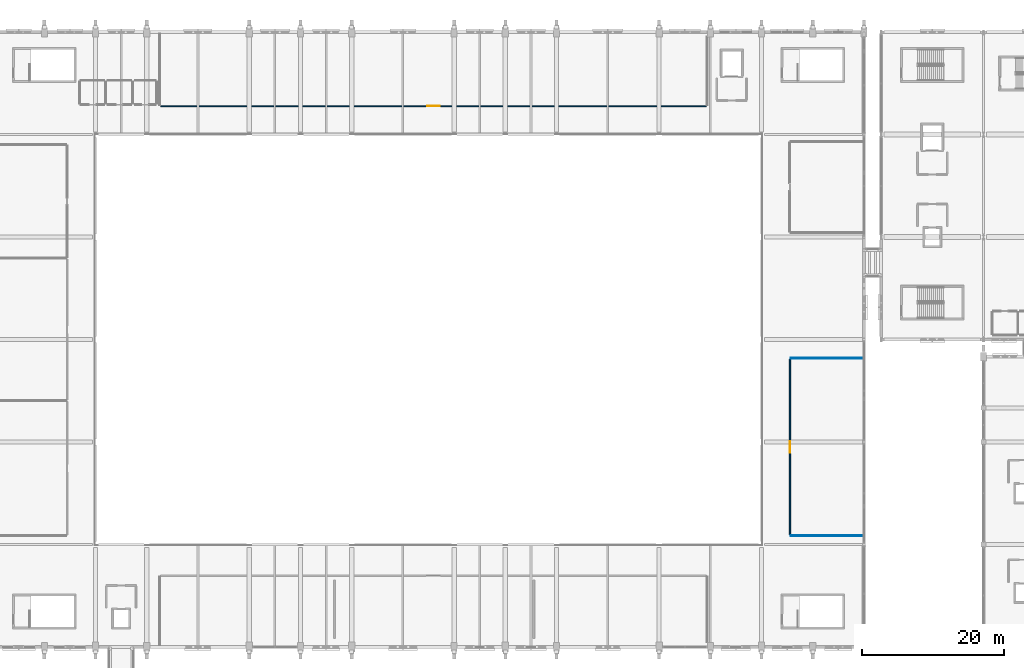
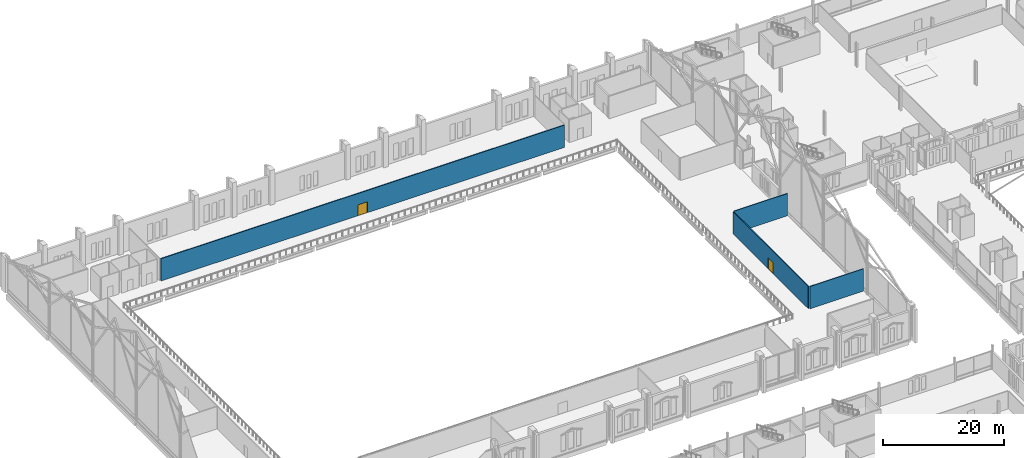
# One storey, part 156 of 220: 4 walls, 2 doors, 2 openings.
"""IFC4 building model written with IfcOpenShell, lengths in metres."""

import ifcopenshell
import ifcopenshell.guid

model = None  # the IFC model being written
_history = None  # IfcOwnerHistory: only IFC2X3 demands one
_inside = {}  # id of a spatial element -> (the spatial element, [elements in it])
_under = {}  # id of a project, library or spatial element -> (it, [spatial elements below it])
_declared = {}  # id of a project -> (the project, [libraries it declares])
_typed = {}  # id of a type object -> (the type object, [elements of that type])
_made_of = {}  # id of a material, layer set ... -> (it, [elements and type objects made of it])


def new_model(schema):
    """Start an empty IFC model of exactly this schema.

    Asked for "IFC4X3", IfcOpenShell would pick the latest addendum, in which some entities
    have other attributes; the version numbers below select the first issue.
    IFC2X3 requires an IfcOwnerHistory on every rooted entity: one is made here for all.
    """
    global model, _history
    if schema == "IFC4X3":
        model = ifcopenshell.file(schema_version=(4, 3, 0, 0))
    else:
        model = ifcopenshell.file(schema=schema)
    _inside.clear()
    _under.clear()
    _declared.clear()
    _typed.clear()
    _made_of.clear()
    _history = None
    if model.schema == "IFC2X3":
        org = make("IfcOrganization", Name="unknown")
        user = make(
            "IfcPersonAndOrganization",
            ThePerson=make("IfcPerson", FamilyName="unknown"),
            TheOrganization=org,
        )
        app = make(
            "IfcApplication",
            ApplicationDeveloper=org,
            Version="unknown",
            ApplicationFullName="unknown",
            ApplicationIdentifier="unknown",
        )
        _history = make(
            "IfcOwnerHistory",
            OwningUser=user,
            OwningApplication=app,
            ChangeAction="ADDED",
            CreationDate=0,
        )
    return model


def make(cls, **values):
    """One entity of the class cls with the attributes given. An attribute that is None is left unset."""
    return model.create_entity(
        cls, **{name: value for name, value in values.items() if value is not None}
    )


def rooted(cls, **values):
    """An entity with a GlobalId (a new one), such as an element, a storey or a relation."""
    return make(cls, GlobalId=ifcopenshell.guid.new(), OwnerHistory=_history, **values)


def si_unit(unit_type, name, prefix=None):
    """IfcSIUnit, for example si_unit("LENGTHUNIT", "METRE", prefix="MILLI")."""
    return make("IfcSIUnit", UnitType=unit_type, Prefix=prefix, Name=name)


def assignment(units):
    """IfcUnitAssignment: the units of a project."""
    return None if units is None else make("IfcUnitAssignment", Units=units)


def point(xyz):
    """IfcCartesianPoint."""
    return None if xyz is None else make("IfcCartesianPoint", Coordinates=xyz)


def direction(xyz):
    """IfcDirection."""
    return None if xyz is None else make("IfcDirection", DirectionRatios=xyz)


def frame(location, z_axis=None, x_axis=None):
    """IfcAxis2Placement3D, a coordinate frame: its origin and axes. An axis left out is left unset."""
    return make(
        "IfcAxis2Placement3D",
        Location=point(location),
        Axis=direction(z_axis),
        RefDirection=direction(x_axis),
    )


def frame_2d(location, x_axis=None):
    """IfcAxis2Placement2D, a coordinate frame in the plane: its origin and x axis."""
    return make(
        "IfcAxis2Placement2D", Location=point(location), RefDirection=direction(x_axis)
    )


def origin():
    """The frame at (0, 0, 0) with its axes left unset."""
    return frame((0.0, 0.0, 0.0))


def place(relative_to, where):
    """IfcLocalPlacement: puts the frame where relative to a parent placement (None: the world)."""
    return make(
        "IfcLocalPlacement", PlacementRelTo=relative_to, RelativePlacement=where
    )


def context(
    kind, dimensions, precision=None, world=None, true_north=None, identifier=None
):
    """IfcGeometricRepresentationContext, for example the 3D "Model" context."""
    return make(
        "IfcGeometricRepresentationContext",
        ContextIdentifier=identifier,
        ContextType=kind,
        CoordinateSpaceDimension=dimensions,
        Precision=precision,
        WorldCoordinateSystem=world,
        TrueNorth=true_north,
    )


def subcontext(parent, identifier, kind, view, scale=None):
    """IfcGeometricRepresentationSubContext, for example "Body" below "Model"."""
    return make(
        "IfcGeometricRepresentationSubContext",
        ContextIdentifier=identifier,
        ContextType=kind,
        ParentContext=parent,
        TargetScale=scale,
        TargetView=view,
    )


def project(units=None, contexts=None):
    """IfcProject with its units and contexts."""
    return rooted(
        "IfcProject",
        Name="project",
        RepresentationContexts=contexts,
        UnitsInContext=assignment(units),
    )


def spatial(cls, under=None, at=None, **own):
    """A site, building, storey or space (cls), placed at a placement, below another one or the project."""
    s = rooted(cls, ObjectPlacement=at, **own)
    if under is not None:
        _under.setdefault(under.id(), (under, []))[1].append(s)
    return s


def profile(cls, at=None, kind="AREA", **sizes):
    """A parametric profile (cls). Its sizes go by their IFC names, for example OverallWidth=200.0."""
    return make(cls, ProfileType=kind, Position=at, **sizes)


def rectangle(**sizes):
    """IfcRectangleProfileDef."""
    return profile("IfcRectangleProfileDef", **sizes)


def extrude(swept, where, along, depth):
    """IfcExtrudedAreaSolid: the profile swept, set in the frame where, extruded along a direction by depth."""
    return make(
        "IfcExtrudedAreaSolid",
        SweptArea=swept,
        Position=where,
        ExtrudedDirection=direction(along),
        Depth=depth,
    )


def shape(context_of_items, identifier, shape_type, items):
    """IfcShapeRepresentation: the items that make up one representation, for example the "Body"."""
    return make(
        "IfcShapeRepresentation",
        ContextOfItems=context_of_items,
        RepresentationIdentifier=identifier,
        RepresentationType=shape_type,
        Items=items,
    )


def material(Name=None, Category=None):
    """IfcMaterial."""
    return make("IfcMaterial", Name=Name, Category=Category)


def layer(
    of_material, thickness, ventilated=None, Name=None, Category=None, Priority=None
):
    """IfcMaterialLayer: one layer of a wall or slab, of a material (None: an air gap)."""
    return make(
        "IfcMaterialLayer",
        Material=of_material,
        LayerThickness=thickness,
        IsVentilated=ventilated,
        Name=Name,
        Category=Category,
        Priority=Priority,
    )


def layer_set(layers, Name=None):
    """IfcMaterialLayerSet."""
    return make("IfcMaterialLayerSet", MaterialLayers=layers, LayerSetName=Name)


def made_of(thing, what):
    """Note that an element or type object is made of a material, layer set ...; save() writes the relation."""
    if what is not None:
        _made_of.setdefault(what.id(), (what, []))[1].append(thing)
    return thing


def type_object(cls, material=None, **own):
    """A type object (cls), such as IfcWallType, which elements share."""
    return made_of(rooted(cls, **own), material)


def element(
    cls,
    number,
    at=None,
    inside=None,
    cuts=None,
    type_object=None,
    material=None,
    context=None,
    identifier="Body",
    shape_type=None,
    held_by="IfcProductDefinitionShape",
    body=None,
    shapes=None,
    **own,
):
    """One element of the class cls, such as IfcWall. Its Tag is "e" and its number.

    at: its placement. inside: the storey or other place that contains it. cuts: it is an
    opening in that element (IfcRelVoidsElement). A single representation is given by context,
    identifier, shape_type and body (its items); several are given by shapes. held_by: the class
    of the entity that holds the representations. save() writes the other relations.
    """
    e = rooted(cls, Tag="e%d" % number, ObjectPlacement=at, **own)
    if body is not None:
        shapes = [shape(context, identifier, shape_type, body)]
    if shapes is not None:
        e.Representation = make(held_by, Representations=shapes)
    if inside is not None:
        _inside.setdefault(inside.id(), (inside, []))[1].append(e)
    if cuts is not None:
        rooted(
            "IfcRelVoidsElement", RelatingBuildingElement=cuts, RelatedOpeningElement=e
        )
    if type_object is not None:
        _typed.setdefault(type_object.id(), (type_object, []))[1].append(e)
    return made_of(e, material)


def fill(opening, filler):
    """IfcRelFillsElement: the door or window that sits in an opening."""
    return rooted(
        "IfcRelFillsElement",
        RelatingOpeningElement=opening,
        RelatedBuildingElement=filler,
    )


def aggregate(whole, parts):
    """IfcRelAggregates: a whole, such as a stair, and the parts it consists of."""
    return rooted("IfcRelAggregates", RelatingObject=whole, RelatedObjects=parts)


def save(model, path):
    """Write the relations noted so far, then the file.

    IfcRelAggregates (storeys below a building ...), IfcRelContainedInSpatialStructure (elements
    in a storey), IfcRelDefinesByType, IfcRelAssociatesMaterial and IfcRelDeclares: one each for
    every whole, place, type object, material and project.
    """
    for whole, parts in _under.values():
        aggregate(whole, parts)
    for where, things in _inside.values():
        rooted(
            "IfcRelContainedInSpatialStructure",
            RelatedElements=things,
            RelatingStructure=where,
        )
    for kind, things in _typed.values():
        rooted("IfcRelDefinesByType", RelatedObjects=things, RelatingType=kind)
    for what, things in _made_of.values():
        rooted("IfcRelAssociatesMaterial", RelatedObjects=things, RelatingMaterial=what)
    for by, libraries in _declared.values():
        rooted("IfcRelDeclares", RelatingContext=by, RelatedDefinitions=libraries)
    model.write(path)


model = new_model("IFC4")

# Units and contexts
model_context = context("Model", 3, precision=1e-05, world=origin(), true_north=direction((0.0, 1.0)))
body_context = subcontext(model_context, "Body", "Model", "MODEL_VIEW")
ifc_project = project(units=[si_unit("LENGTHUNIT", "METRE"), si_unit("AREAUNIT", "SQUARE_METRE"), si_unit("VOLUMEUNIT", "CUBIC_METRE"), si_unit("PLANEANGLEUNIT", "RADIAN"), si_unit("MASSUNIT", "GRAM", prefix="KILO")], contexts=[model_context])

# Site, building, storey
site_placement = place(None, origin())
site = spatial("IfcSite", under=ifc_project, at=site_placement, CompositionType="ELEMENT")
building_placement = place(site_placement, origin())
building = spatial("IfcBuilding", under=site, at=building_placement, Name="Cendralis Lancet Convention Centre", CompositionType="ELEMENT")
storey_placement = place(building_placement, frame((0.0, 0.0, 5.39990234375)))
storey = spatial("IfcBuildingStorey", under=building, at=storey_placement, Name="L01", CompositionType="ELEMENT", Elevation=5.39990234375)

# Walls
ifc_material_1 = material(Name="Acoustic fire-rated gypsum board on steel studs", Category="steel")
ifc_layer_1 = layer(ifc_material_1, 0.139892578125, Name="Acoustic fire-rated gypsum board on steel studs")
ifc_layer_set_1 = layer_set([ifc_layer_1], Name="Acoustic fire-rated gypsum board on steel studs")
wall_type_1 = type_object("IfcWallType", Name="ARC-IW-P140", PredefinedType="PARTITIONING", material=ifc_layer_set_1)
for number, where, z_axis, x_axis, name in (
    (1, (112.139892578125, 66.0, 0.0), (0.0, 0.0, 1.0), (1.0, 0.0, 0.0), "L01 Interior Partition IW-04 #0039"),
    (2, (112.139892578125, 91.0, 0.0), (0.0, 0.0, 1.0), (1.0, 0.0, 0.0), "L01 Interior Partition IW-04 #0040"),
):
    element("IfcWall", number, at=place(storey_placement, frame(where, z_axis=z_axis, x_axis=x_axis)), inside=storey, type_object=wall_type_1, Name=name, PredefinedType="PARTITIONING", context=body_context, shape_type="SweptSolid", body=[
        extrude(rectangle(XDim=10.18017578125, YDim=0.139892578125, at=frame_2d((5.090087890625, 0.0))), origin(), (0.0, 0.0, 1.0), 4.485107421875),
    ])

# Wall, opening, door
ifc_layer_2 = layer(ifc_material_1, 0.159912109375, Name="Acoustic fire-rated gypsum board on steel studs")
ifc_layer_set_2 = layer_set([ifc_layer_2], Name="Acoustic fire-rated gypsum board on steel studs")
wall_type_2 = type_object("IfcWallType", Name="ARC-IW-P160", PredefinedType="PARTITIONING", material=ifc_layer_set_2)
wall_1_placement = place(storey_placement, frame((23.5400390625, 126.39990234375, 0.0), z_axis=(0.0, 0.0, 1.0), x_axis=(1.0, 0.0, 0.0)))
wall_1 = element("IfcWall", 3, at=wall_1_placement, inside=storey, type_object=wall_type_2, Name="L01 Interior Partition IW-03 #0029", PredefinedType="PARTITIONING", context=body_context, shape_type="SweptSolid", body=[
    extrude(rectangle(XDim=76.719970703125, YDim=0.159912109375, at=frame_2d((38.35986328125, 0.0))), origin(), (0.0, 0.0, 1.0), 4.485107421875),
])
opening_1_placement = place(wall_1_placement, frame((37.4599609375, 0.0, 0.0)))
opening_1 = element("IfcOpeningElement", 4, at=opening_1_placement, cuts=wall_1, Name="Opening ID-18", PredefinedType="OPENING", context=body_context, shape_type="SweptSolid", body=[
    extrude(rectangle(XDim=1.800048828125, YDim=2.199951171875, at=frame_2d((0.89990234375, 1.10009765625))), frame((0.0, 0.08984375, 0.0), z_axis=(0.0, -1.0, 0.0), x_axis=(1.0, 0.0, 0.0)), (0.0, 0.0, 1.0), 0.179931640625),
])
ifc_material_2 = material(Name="Acoustic Chilean lenga timber and steel fire leaf", Category="steel")
door_type_1 = type_object("IfcDoorType", Name="ARC-DR-DB18", OperationType="NOTDEFINED", PredefinedType="DOOR", material=ifc_material_2)
door_1_placement = place(opening_1_placement, frame((1.800048828125, 0.0, 0.0), z_axis=(0.0, 0.0, 1.0), x_axis=(-1.0, 0.0, 0.0)))
door_1 = element("IfcDoor", 5, at=door_1_placement, inside=storey, type_object=door_type_1, Name="L01-D002 L01 Interior Door ID-18 #0009", OperationType="DOUBLE_DOOR_SINGLE_SWING", OverallHeight=2.199951171875, OverallWidth=1.800048828125, PredefinedType="DOOR", context=body_context, shape_type="SweptSolid", body=[
    extrude(rectangle(XDim=1.800048828125, YDim=2.199951171875, at=frame_2d((0.89990234375, 1.10009765625))), frame((0.0, 0.02490234375, 0.0), z_axis=(0.0, -1.0, 0.0), x_axis=(1.0, 0.0, 0.0)), (0.0, 0.0, 1.0), 0.050048828125),
])
fill(opening_1, door_1)

wall_2_placement = place(storey_placement, frame((112.0, 66.139892578125, 0.0), z_axis=(0.0, 0.0, 1.0), x_axis=(0.0, 1.0, 0.0)))
wall_2 = element("IfcWall", 6, at=wall_2_placement, inside=storey, type_object=wall_type_2, Name="L01 Interior Partition IW-03 #0041", PredefinedType="PARTITIONING", context=body_context, shape_type="SweptSolid", body=[
    extrude(rectangle(XDim=24.72021484375, YDim=0.159912109375, at=frame_2d((12.360107421875, 0.0))), origin(), (0.0, 0.0, 1.0), 4.485107421875),
])
opening_2_placement = place(wall_2_placement, frame((11.56005859375, 0.0, 0.0)))
opening_2 = element("IfcOpeningElement", 7, at=opening_2_placement, cuts=wall_2, Name="Opening ID-16", PredefinedType="OPENING", context=body_context, shape_type="SweptSolid", body=[
    extrude(rectangle(XDim=1.60009765625, YDim=2.199951171875, at=frame_2d((0.800048828125, 1.10009765625))), frame((0.0, 0.08984375, 0.0), z_axis=(0.0, -1.0, 0.0), x_axis=(1.0, 0.0, 0.0)), (0.0, 0.0, 1.0), 0.179931640625),
])
door_type_2 = type_object("IfcDoorType", Name="ARC-DR-DB16", OperationType="NOTDEFINED", PredefinedType="DOOR", material=ifc_material_2)
door_2_placement = place(opening_2_placement, frame((1.60009765625, 0.0, 0.0), z_axis=(0.0, 0.0, 1.0), x_axis=(-1.0, 0.0, 0.0)))
door_2 = element("IfcDoor", 8, at=door_2_placement, inside=storey, type_object=door_type_2, Name="L01-D006 L01 Interior Door ID-16 #0013", OperationType="DOUBLE_DOOR_SINGLE_SWING", OverallHeight=2.199951171875, OverallWidth=1.60009765625, PredefinedType="DOOR", context=body_context, shape_type="SweptSolid", body=[
    extrude(rectangle(XDim=1.60009765625, YDim=2.199951171875, at=frame_2d((0.800048828125, 1.10009765625))), frame((0.0, 0.02490234375, 0.0), z_axis=(0.0, -1.0, 0.0), x_axis=(1.0, 0.0, 0.0)), (0.0, 0.0, 1.0), 0.050048828125),
])
fill(opening_2, door_2)

save(model, "model.ifc")
